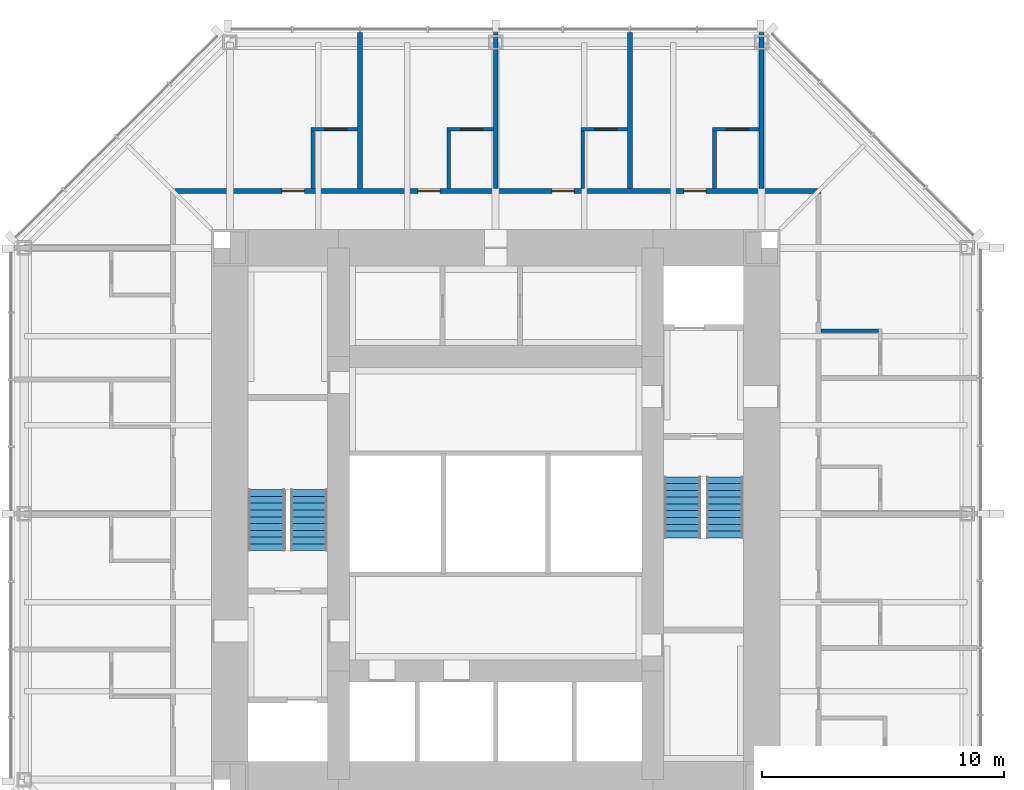
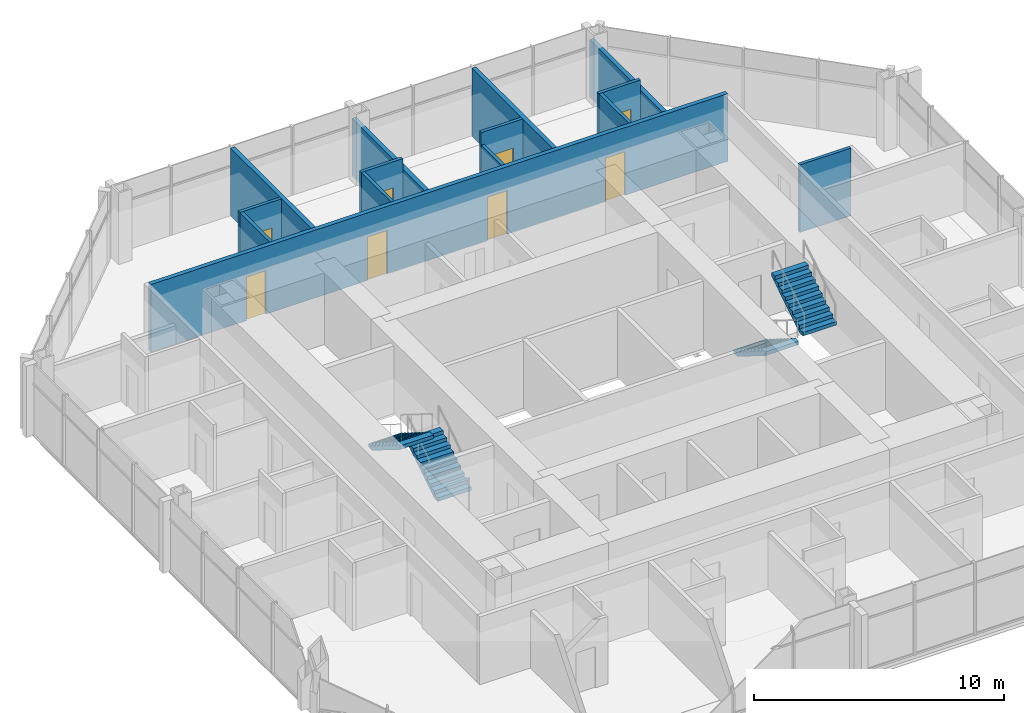
# One storey, part 10 of 12: 14 walls, 8 doors, 4 stair flights, 8 openings, 2 elements without a shape of their own.
"""IFC4 building model written with IfcOpenShell, lengths in metres."""

from ifc_helpers import new_model, si_unit, direction, frame, frame_2d, origin, place, context, subcontext, project, spatial, polyline, rectangle, outline, extrude, material, layer, layer_set, type_object, element, fill, aggregate, save


model = new_model("IFC4")

# Units and contexts
model_context = context("Model", 3, precision=1e-05, world=origin(), true_north=direction((0.0, 1.0)))
body_context = subcontext(model_context, "Body", "Model", "MODEL_VIEW")
ifc_project = project(units=[si_unit("LENGTHUNIT", "METRE"), si_unit("AREAUNIT", "SQUARE_METRE"), si_unit("VOLUMEUNIT", "CUBIC_METRE"), si_unit("PLANEANGLEUNIT", "RADIAN"), si_unit("MASSUNIT", "GRAM", prefix="KILO")], contexts=[model_context])

# Site, building, storey
site_placement = place(None, origin())
site = spatial("IfcSite", under=ifc_project, at=site_placement, CompositionType="ELEMENT")
building_placement = place(site_placement, origin())
building = spatial("IfcBuilding", under=site, at=building_placement, Name="Trevanion Tower", CompositionType="ELEMENT")
storey_placement = place(building_placement, frame((0.0, 0.0, 194.199951171875)))
storey = spatial("IfcBuildingStorey", under=building, at=storey_placement, Name="L45", CompositionType="ELEMENT", Elevation=194.199951171875)

# Wall
ifc_material_1 = material(Name="Gypsum board on steel studs", Category="steel")
ifc_layer_1 = layer(ifc_material_1, 0.14990234375)
ifc_layer_set_1 = layer_set([ifc_layer_1], Name="PT1 partition 150")
wall_type_1 = type_object("IfcWallType", Name="PT1 partition 150", PredefinedType="PARTITIONING", material=ifc_layer_set_1)
wall_1_placement = place(storey_placement, frame((13.449951171875, 7.56396484375, 0.0), z_axis=(0.0, 0.0, 1.0), x_axis=(1.0, 0.0, 0.0)))
element("IfcWall", 1, at=wall_1_placement, inside=storey, type_object=wall_type_1, Name="PT1 L45 BB03", PredefinedType="PARTITIONING", context=body_context, shape_type="SweptSolid", body=[
    extrude(rectangle(XDim=2.375, YDim=0.14990234375, at=frame_2d((1.1875, 0.0))), origin(), (0.0, 0.0, 1.0), 3.31005859375),
])

# Wall, opening, door
wall_2_placement = place(storey_placement, frame((10.89990234375, 15.89990234375, 0.0), z_axis=(0.0, 0.0, 1.0), x_axis=(-1.0, 0.0, 0.0)))
wall_2 = element("IfcWall", 2, at=wall_2_placement, inside=storey, type_object=wall_type_1, Name="PT1 L45 BA10", PredefinedType="PARTITIONING", context=body_context, shape_type="SweptSolid", body=[
    extrude(rectangle(XDim=1.9248046875, YDim=0.14990234375, at=frame_2d((0.96240234375, 0.0))), origin(), (0.0, 0.0, 1.0), 3.31005859375),
])
opening_1_placement = place(wall_2_placement, frame((0.4423828125, 0.0, 0.0)))
opening_1 = element("IfcOpeningElement", 3, at=opening_1_placement, cuts=wall_2, Name="Opening 45-024", PredefinedType="OPENING", context=body_context, shape_type="SweptSolid", body=[
    extrude(rectangle(XDim=0.9150390625, YDim=2.031982421875, at=frame_2d((0.45751953125, 1.01611328125))), frame((0.0, 0.0849609375, 0.0), z_axis=(0.0, -1.0, 0.0), x_axis=(1.0, 0.0, 0.0)), (0.0, 0.0, 1.0), 0.169921875),
])
ifc_material_2 = material(Name="Timber veneer", Category="wood")
door_type_1 = type_object("IfcDoorType", Name="D7 bathroom door", OperationType="SINGLE_SWING_LEFT", PredefinedType="DOOR", material=ifc_material_2)
door_1_placement = place(opening_1_placement, origin())
door_1 = element("IfcDoor", 4, at=door_1_placement, inside=storey, type_object=door_type_1, Name="Door 45-024", OperationType="SINGLE_SWING_LEFT", OverallHeight=2.031982421875, OverallWidth=0.9150390625, PredefinedType="DOOR", context=body_context, shape_type="SweptSolid", body=[
    extrude(rectangle(XDim=0.9150390625, YDim=2.031982421875, at=frame_2d((0.45751953125, 1.01611328125))), frame((0.0, 0.02490234375, 0.0), z_axis=(0.0, -1.0, 0.0), x_axis=(1.0, 0.0, 0.0)), (0.0, 0.0, 1.0), 0.050048828125),
])
fill(opening_1, door_1)

# Wall
wall_3_placement = place(storey_placement, frame((9.050048828125, 13.449951171875, 0.0), z_axis=(0.0, 0.0, 1.0), x_axis=(0.0, 1.0, 0.0)))
element("IfcWall", 5, at=wall_3_placement, inside=storey, type_object=wall_type_1, Name="PT1 L45 BB10", PredefinedType="PARTITIONING", context=body_context, shape_type="SweptSolid", body=[
    extrude(rectangle(XDim=2.375, YDim=0.14990234375, at=frame_2d((1.1875, 0.0))), origin(), (0.0, 0.0, 1.0), 3.31005859375),
])

# Wall, opening, door
wall_4_placement = place(storey_placement, frame((5.448974609375, 15.89990234375, 0.0), z_axis=(0.0, 0.0, 1.0), x_axis=(-1.0, 0.0, 0.0)))
wall_4 = element("IfcWall", 6, at=wall_4_placement, inside=storey, type_object=wall_type_1, Name="PT1 L45 BA11", PredefinedType="PARTITIONING", context=body_context, shape_type="SweptSolid", body=[
    extrude(rectangle(XDim=1.925048828125, YDim=0.14990234375, at=frame_2d((0.96240234375, 0.0))), origin(), (0.0, 0.0, 1.0), 3.31005859375),
])
opening_2_placement = place(wall_4_placement, frame((0.4423828125, 0.0, 0.0)))
opening_2 = element("IfcOpeningElement", 7, at=opening_2_placement, cuts=wall_4, Name="Opening 45-026", PredefinedType="OPENING", context=body_context, shape_type="SweptSolid", body=[
    extrude(rectangle(XDim=0.9150390625, YDim=2.031982421875, at=frame_2d((0.45751953125, 1.01611328125))), frame((0.0, 0.0849609375, 0.0), z_axis=(0.0, -1.0, 0.0), x_axis=(1.0, 0.0, 0.0)), (0.0, 0.0, 1.0), 0.169921875),
])
door_2_placement = place(opening_2_placement, origin())
door_2 = element("IfcDoor", 8, at=door_2_placement, inside=storey, type_object=door_type_1, Name="Door 45-026", OperationType="SINGLE_SWING_LEFT", OverallHeight=2.031982421875, OverallWidth=0.9150390625, PredefinedType="DOOR", context=body_context, shape_type="SweptSolid", body=[
    extrude(rectangle(XDim=0.9150390625, YDim=2.031982421875, at=frame_2d((0.45751953125, 1.01611328125))), frame((0.0, 0.02490234375, 0.0), z_axis=(0.0, -1.0, 0.0), x_axis=(1.0, 0.0, 0.0)), (0.0, 0.0, 1.0), 0.050048828125),
])
fill(opening_2, door_2)

# Wall
wall_5_placement = place(storey_placement, frame((3.59912109375, 13.449951171875, 0.0), z_axis=(0.0, 0.0, 1.0), x_axis=(0.0, 1.0, 0.0)))
element("IfcWall", 9, at=wall_5_placement, inside=storey, type_object=wall_type_1, Name="PT1 L45 BB11", PredefinedType="PARTITIONING", context=body_context, shape_type="SweptSolid", body=[
    extrude(rectangle(XDim=2.375, YDim=0.14990234375, at=frame_2d((1.1875, 0.0))), origin(), (0.0, 0.0, 1.0), 2.703125),
])

# Wall, opening, door
wall_6_placement = place(storey_placement, frame((-0.10009765625, 15.89990234375, 0.0), z_axis=(0.0, 0.0, 1.0), x_axis=(-1.0, 0.0, 0.0)))
wall_6 = element("IfcWall", 10, at=wall_6_placement, inside=storey, type_object=wall_type_1, Name="PT1 L45 BA12", PredefinedType="PARTITIONING", context=body_context, shape_type="SweptSolid", body=[
    extrude(rectangle(XDim=1.9248046875, YDim=0.14990234375, at=frame_2d((0.96240234375, 0.0))), origin(), (0.0, 0.0, 1.0), 3.31005859375),
])
opening_3_placement = place(wall_6_placement, frame((0.4423828125, 0.0, 0.0)))
opening_3 = element("IfcOpeningElement", 11, at=opening_3_placement, cuts=wall_6, Name="Opening 45-028", PredefinedType="OPENING", context=body_context, shape_type="SweptSolid", body=[
    extrude(rectangle(XDim=0.9150390625, YDim=2.031982421875, at=frame_2d((0.45751953125, 1.01611328125))), frame((0.0, 0.0849609375, 0.0), z_axis=(0.0, -1.0, 0.0), x_axis=(1.0, 0.0, 0.0)), (0.0, 0.0, 1.0), 0.169921875),
])
door_3_placement = place(opening_3_placement, origin())
door_3 = element("IfcDoor", 12, at=door_3_placement, inside=storey, type_object=door_type_1, Name="Door 45-028", OperationType="SINGLE_SWING_LEFT", OverallHeight=2.031982421875, OverallWidth=0.9150390625, PredefinedType="DOOR", context=body_context, shape_type="SweptSolid", body=[
    extrude(rectangle(XDim=0.9150390625, YDim=2.031982421875, at=frame_2d((0.45751953125, 1.01611328125))), frame((0.0, 0.02490234375, 0.0), z_axis=(0.0, -1.0, 0.0), x_axis=(1.0, 0.0, 0.0)), (0.0, 0.0, 1.0), 0.050048828125),
])
fill(opening_3, door_3)

# Wall
wall_7_placement = place(storey_placement, frame((-1.949951171875, 13.449951171875, 0.0), z_axis=(0.0, 0.0, 1.0), x_axis=(0.0, 1.0, 0.0)))
element("IfcWall", 13, at=wall_7_placement, inside=storey, type_object=wall_type_1, Name="PT1 L45 BB12", PredefinedType="PARTITIONING", context=body_context, shape_type="SweptSolid", body=[
    extrude(rectangle(XDim=2.375, YDim=0.14990234375, at=frame_2d((1.1875, 0.0))), origin(), (0.0, 0.0, 1.0), 3.31005859375),
])

# Wall, opening, door
wall_8_placement = place(storey_placement, frame((-5.714111328125, 15.89990234375, 0.0), z_axis=(0.0, 0.0, 1.0), x_axis=(-1.0, 0.0, 0.0)))
wall_8 = element("IfcWall", 14, at=wall_8_placement, inside=storey, type_object=wall_type_1, Name="PT1 L45 BA13", PredefinedType="PARTITIONING", context=body_context, shape_type="SweptSolid", body=[
    extrude(rectangle(XDim=1.9248046875, YDim=0.14990234375, at=frame_2d((0.96240234375, 0.0))), origin(), (0.0, 0.0, 1.0), 3.31005859375),
])
opening_4_placement = place(wall_8_placement, frame((0.4423828125, 0.0, 0.0)))
opening_4 = element("IfcOpeningElement", 15, at=opening_4_placement, cuts=wall_8, Name="Opening 45-030", PredefinedType="OPENING", context=body_context, shape_type="SweptSolid", body=[
    extrude(rectangle(XDim=0.9150390625, YDim=2.031982421875, at=frame_2d((0.45751953125, 1.01611328125))), frame((0.0, 0.0849609375, 0.0), z_axis=(0.0, -1.0, 0.0), x_axis=(1.0, 0.0, 0.0)), (0.0, 0.0, 1.0), 0.169921875),
])
door_4_placement = place(opening_4_placement, origin())
door_4 = element("IfcDoor", 16, at=door_4_placement, inside=storey, type_object=door_type_1, Name="Door 45-030", OperationType="SINGLE_SWING_LEFT", OverallHeight=2.031982421875, OverallWidth=0.9150390625, PredefinedType="DOOR", context=body_context, shape_type="SweptSolid", body=[
    extrude(rectangle(XDim=0.9150390625, YDim=2.031982421875, at=frame_2d((0.45751953125, 1.01611328125))), frame((0.0, 0.02490234375, 0.0), z_axis=(0.0, -1.0, 0.0), x_axis=(1.0, 0.0, 0.0)), (0.0, 0.0, 1.0), 0.050048828125),
])
fill(opening_4, door_4)

# Wall
wall_9_placement = place(storey_placement, frame((-7.56396484375, 13.449951171875, 0.0), z_axis=(0.0, 0.0, 1.0), x_axis=(0.0, 1.0, 0.0)))
element("IfcWall", 17, at=wall_9_placement, inside=storey, type_object=wall_type_1, Name="PT1 L45 BB13", PredefinedType="PARTITIONING", context=body_context, shape_type="SweptSolid", body=[
    extrude(rectangle(XDim=2.375, YDim=0.14990234375, at=frame_2d((1.1875, 0.0))), origin(), (0.0, 0.0, 1.0), 3.31005859375),
])

# Wall, openings, doors
ifc_material_3 = material(Name="Concrete masonry, grouted", Category="masonry")
ifc_layer_2 = layer(ifc_material_3, 0.199951171875)
ifc_layer_set_2 = layer_set([ifc_layer_2], Name="PT2 partition 200 1 HR")
wall_type_2 = type_object("IfcWallType", Name="PT2 partition 200 1 HR", PredefinedType="PARTITIONING", material=ifc_layer_set_2)
wall_10_placement = place(storey_placement, frame((13.449951171875, 13.35009765625, 0.0), z_axis=(0.0, 0.0, 1.0), x_axis=(-1.0, 0.0, 0.0)))
wall_10 = element("IfcWall", 18, at=wall_10_placement, inside=storey, type_object=wall_type_2, Name="PT2 L45 HC1", PredefinedType="PARTITIONING", context=body_context, shape_type="SweptSolid", body=[
    extrude(rectangle(XDim=26.699951171875, YDim=0.199951171875, at=frame_2d((13.35009765625, 0.0))), origin(), (0.0, 0.0, 1.0), 3.31005859375),
])
opening_5_placement = place(wall_10_placement, frame((4.75244140625, 0.0, 0.0)))
opening_5 = element("IfcOpeningElement", 19, at=opening_5_placement, cuts=wall_10, Name="Opening 45-025", PredefinedType="OPENING", context=body_context, shape_type="SweptSolid", body=[
    extrude(rectangle(XDim=0.9150390625, YDim=2.134033203125, at=frame_2d((0.45751953125, 1.06689453125))), frame((0.0, 0.10986328125, 0.0), z_axis=(0.0, -1.0, 0.0), x_axis=(1.0, 0.0, 0.0)), (0.0, 0.0, 1.0), 0.219970703125),
])
opening_6_placement = place(wall_10_placement, frame((10.20361328125, 0.0, 0.0)))
opening_6 = element("IfcOpeningElement", 20, at=opening_6_placement, cuts=wall_10, Name="Opening 45-027", PredefinedType="OPENING", context=body_context, shape_type="SweptSolid", body=[
    extrude(rectangle(XDim=0.9150390625, YDim=2.134033203125, at=frame_2d((0.45751953125, 1.06689453125))), frame((0.0, 0.10986328125, 0.0), z_axis=(0.0, -1.0, 0.0), x_axis=(1.0, 0.0, 0.0)), (0.0, 0.0, 1.0), 0.219970703125),
])
opening_7_placement = place(wall_10_placement, frame((15.75244140625, 0.0, 0.0)))
opening_7 = element("IfcOpeningElement", 21, at=opening_7_placement, cuts=wall_10, Name="Opening 45-029", PredefinedType="OPENING", context=body_context, shape_type="SweptSolid", body=[
    extrude(rectangle(XDim=0.9150390625, YDim=2.134033203125, at=frame_2d((0.45751953125, 1.06689453125))), frame((0.0, 0.10986328125, 0.0), z_axis=(0.0, -1.0, 0.0), x_axis=(1.0, 0.0, 0.0)), (0.0, 0.0, 1.0), 0.219970703125),
])
opening_8_placement = place(wall_10_placement, frame((21.366455078125, 0.0, 0.0)))
opening_8 = element("IfcOpeningElement", 22, at=opening_8_placement, cuts=wall_10, Name="Opening 45-031", PredefinedType="OPENING", context=body_context, shape_type="SweptSolid", body=[
    extrude(rectangle(XDim=0.9150390625, YDim=2.134033203125, at=frame_2d((0.45751953125, 1.06689453125))), frame((0.0, 0.10986328125, 0.0), z_axis=(0.0, -1.0, 0.0), x_axis=(1.0, 0.0, 0.0)), (0.0, 0.0, 1.0), 0.219970703125),
])
ifc_material_4 = material(Name="Timber veneer, fire rated", Category="wood")
door_type_2 = type_object("IfcDoorType", Name="D6 guest room entrance door", OperationType="SINGLE_SWING_LEFT", PredefinedType="DOOR", material=ifc_material_4)
door_5_placement = place(opening_5_placement, origin())
door_5 = element("IfcDoor", 23, at=door_5_placement, inside=storey, type_object=door_type_2, Name="Door 45-025", OperationType="SINGLE_SWING_LEFT", OverallHeight=2.134033203125, OverallWidth=0.9150390625, PredefinedType="DOOR", context=body_context, shape_type="SweptSolid", body=[
    extrude(rectangle(XDim=0.9150390625, YDim=2.134033203125, at=frame_2d((0.45751953125, 1.06689453125))), frame((0.0, 0.02490234375, 0.0), z_axis=(0.0, -1.0, 0.0), x_axis=(1.0, 0.0, 0.0)), (0.0, 0.0, 1.0), 0.050048828125),
])
fill(opening_5, door_5)
door_6_placement = place(opening_6_placement, origin())
door_6 = element("IfcDoor", 24, at=door_6_placement, inside=storey, type_object=door_type_2, Name="Door 45-027", OperationType="SINGLE_SWING_LEFT", OverallHeight=2.134033203125, OverallWidth=0.9150390625, PredefinedType="DOOR", context=body_context, shape_type="SweptSolid", body=[
    extrude(rectangle(XDim=0.9150390625, YDim=2.134033203125, at=frame_2d((0.45751953125, 1.06689453125))), frame((0.0, 0.02490234375, 0.0), z_axis=(0.0, -1.0, 0.0), x_axis=(1.0, 0.0, 0.0)), (0.0, 0.0, 1.0), 0.050048828125),
])
fill(opening_6, door_6)
door_7_placement = place(opening_7_placement, origin())
door_7 = element("IfcDoor", 25, at=door_7_placement, inside=storey, type_object=door_type_2, Name="Door 45-029", OperationType="SINGLE_SWING_LEFT", OverallHeight=2.134033203125, OverallWidth=0.9150390625, PredefinedType="DOOR", context=body_context, shape_type="SweptSolid", body=[
    extrude(rectangle(XDim=0.9150390625, YDim=2.134033203125, at=frame_2d((0.45751953125, 1.06689453125))), frame((0.0, 0.02490234375, 0.0), z_axis=(0.0, -1.0, 0.0), x_axis=(1.0, 0.0, 0.0)), (0.0, 0.0, 1.0), 0.050048828125),
])
fill(opening_7, door_7)
door_8_placement = place(opening_8_placement, origin())
door_8 = element("IfcDoor", 26, at=door_8_placement, inside=storey, type_object=door_type_2, Name="Door 45-031", OperationType="SINGLE_SWING_LEFT", OverallHeight=2.134033203125, OverallWidth=0.9150390625, PredefinedType="DOOR", context=body_context, shape_type="SweptSolid", body=[
    extrude(rectangle(XDim=0.9150390625, YDim=2.134033203125, at=frame_2d((0.45751953125, 1.06689453125))), frame((0.0, 0.02490234375, 0.0), z_axis=(0.0, -1.0, 0.0), x_axis=(1.0, 0.0, 0.0)), (0.0, 0.0, 1.0), 0.050048828125),
])
fill(opening_8, door_8)

# Walls
wall_11_placement = place(storey_placement, frame((11.0, 13.449951171875, 0.0), z_axis=(0.0, 0.0, 1.0), x_axis=(0.0, 1.0, 0.0)))
element("IfcWall", 27, at=wall_11_placement, inside=storey, type_object=wall_type_2, Name="PT2 L45 HD10", PredefinedType="PARTITIONING", context=body_context, shape_type="SweptSolid", body=[
    extrude(rectangle(XDim=6.465087890625, YDim=0.199951171875, at=frame_2d((3.232421875, 0.0))), origin(), (0.0, 0.0, 1.0), 2.802001953125),
])
wall_12_placement = place(storey_placement, frame((5.549072265625, 13.449951171875, 0.0), z_axis=(0.0, 0.0, 1.0), x_axis=(0.0, 1.0, 0.0)))
element("IfcWall", 28, at=wall_12_placement, inside=storey, type_object=wall_type_2, Name="PT2 L45 HD11", PredefinedType="PARTITIONING", context=body_context, shape_type="SweptSolid", body=[
    extrude(rectangle(XDim=6.465087890625, YDim=0.199951171875, at=frame_2d((3.232421875, 0.0))), origin(), (0.0, 0.0, 1.0), 3.31005859375),
])
wall_13_placement = place(storey_placement, frame((0.0, 13.449951171875, 0.0), z_axis=(0.0, 0.0, 1.0), x_axis=(0.0, 1.0, 0.0)))
element("IfcWall", 29, at=wall_13_placement, inside=storey, type_object=wall_type_2, Name="PT2 L45 HD12", PredefinedType="PARTITIONING", context=body_context, shape_type="SweptSolid", body=[
    extrude(rectangle(XDim=6.465087890625, YDim=0.199951171875, at=frame_2d((3.232421875, 0.0))), origin(), (0.0, 0.0, 1.0), 2.802001953125),
])
wall_14_placement = place(storey_placement, frame((-5.614013671875, 13.449951171875, 0.0), z_axis=(0.0, 0.0, 1.0), x_axis=(0.0, 1.0, 0.0)))
element("IfcWall", 30, at=wall_14_placement, inside=storey, type_object=wall_type_2, Name="PT2 L45 HD13", PredefinedType="PARTITIONING", context=body_context, shape_type="SweptSolid", body=[
    extrude(rectangle(XDim=6.465087890625, YDim=0.199951171875, at=frame_2d((3.232421875, 0.0))), origin(), (0.0, 0.0, 1.0), 3.31005859375),
])

# Stair, stair flights
ifc_material_5 = material(Name="Concrete 5,000 psi on steel stringers", Category="concrete")
stair_type = type_object("IfcStairType", Name="ST stair", PredefinedType="HALF_TURN_STAIR", material=ifc_material_5)
stair_1_placement = place(storey_placement, origin())
stair_1 = element("IfcStair", 31, at=stair_1_placement, inside=storey, type_object=stair_type, Name="ST1 L45", PredefinedType="HALF_TURN_STAIR")
ifc_material_6 = material(Name="Concrete 5,000 psi in steel pan", Category="concrete")
stair_flight_type = type_object("IfcStairFlightType", Name="STF stair flight", PredefinedType="STRAIGHT", material=ifc_material_6)
stair_flight_1_placement = place(storey_placement, frame((7.72509765625, 1.52490234375, 0.0), z_axis=(0.0, 0.0, 1.0), x_axis=(0.0, -1.0, 0.0)))
stair_flight_1 = element("IfcStairFlight", 32, at=stair_flight_1_placement, type_object=stair_flight_type, Name="ST1 flight 1", NumberOfRisers=10, NumberOfTreads=9, PredefinedType="STRAIGHT", RiserHeight=0.175, TreadLength=0.28, context=body_context, shape_type="SweptSolid", body=[
    extrude(outline(polyline([(0.0, 0.0), (0.0, 0.175048828125), (0.280029296875, 0.175048828125), (0.280029296875, 0.35009765625), (0.56005859375, 0.35009765625), (0.56005859375, 0.52490234375), (0.840087890625, 0.52490234375), (0.840087890625, 0.699951171875), (1.1201171875, 0.699951171875), (1.1201171875, 0.875), (1.39990234375, 0.875), (1.39990234375, 1.050048828125), (1.679931640625, 1.050048828125), (1.679931640625, 1.22509765625), (1.9599609375, 1.22509765625), (1.9599609375, 1.39990234375), (2.239990234375, 1.39990234375), (2.239990234375, 1.574951171875), (2.52001953125, 1.574951171875), (2.52001953125, 1.75), (2.52001953125, 1.398193359375), (0.28271484375, 0.0), (0.0, 0.0)])), frame((0.0, 0.77490234375, 0.0), z_axis=(0.0, -1.0, 0.0), x_axis=(1.0, 0.0, 0.0)), (0.0, 0.0, 1.0), 1.550048828125),
])
stair_flight_2_placement = place(storey_placement, frame((9.47509765625, -0.9951171875, 1.75), z_axis=(0.0, 0.0, 1.0), x_axis=(0.0, 1.0, 0.0)))
stair_flight_2 = element("IfcStairFlight", 33, at=stair_flight_2_placement, type_object=stair_flight_type, Name="ST1 flight 2", NumberOfRisers=10, NumberOfTreads=9, PredefinedType="STRAIGHT", RiserHeight=0.175, TreadLength=0.28, context=body_context, shape_type="SweptSolid", body=[
    extrude(outline(polyline([(0.0, 0.0), (0.0, 0.175048828125), (0.280029296875, 0.175048828125), (0.280029296875, 0.35009765625), (0.56005859375, 0.35009765625), (0.56005859375, 0.52490234375), (0.840087890625, 0.52490234375), (0.840087890625, 0.699951171875), (1.1201171875, 0.699951171875), (1.1201171875, 0.875), (1.39990234375, 0.875), (1.39990234375, 1.050048828125), (1.679931640625, 1.050048828125), (1.679931640625, 1.22509765625), (1.9599609375, 1.22509765625), (1.9599609375, 1.39990234375), (2.239990234375, 1.39990234375), (2.239990234375, 1.574951171875), (2.52001953125, 1.574951171875), (2.52001953125, 1.75), (2.52001953125, 1.398193359375), (0.28271484375, 0.0), (0.0, 0.0)])), frame((0.0, 0.77490234375, 0.0), z_axis=(0.0, -1.0, 0.0), x_axis=(1.0, 0.0, 0.0)), (0.0, 0.0, 1.0), 1.550048828125),
])
aggregate(stair_1, [stair_flight_1, stair_flight_2])

stair_2_placement = place(storey_placement, origin())
stair_2 = element("IfcStair", 34, at=stair_2_placement, inside=storey, type_object=stair_type, Name="ST2 L45", PredefinedType="HALF_TURN_STAIR")
stair_flight_3_placement = place(storey_placement, frame((-7.72509765625, -1.52490234375, 0.0), z_axis=(0.0, 0.0, 1.0), x_axis=(0.0, 1.0, 0.0)))
stair_flight_3 = element("IfcStairFlight", 35, at=stair_flight_3_placement, type_object=stair_flight_type, Name="ST2 flight 1", NumberOfRisers=10, NumberOfTreads=9, PredefinedType="STRAIGHT", RiserHeight=0.175, TreadLength=0.28, context=body_context, shape_type="SweptSolid", body=[
    extrude(outline(polyline([(0.0, 0.0), (0.0, 0.175048828125), (0.280029296875, 0.175048828125), (0.280029296875, 0.35009765625), (0.56005859375, 0.35009765625), (0.56005859375, 0.52490234375), (0.840087890625, 0.52490234375), (0.840087890625, 0.699951171875), (1.1201171875, 0.699951171875), (1.1201171875, 0.875), (1.39990234375, 0.875), (1.39990234375, 1.050048828125), (1.679931640625, 1.050048828125), (1.679931640625, 1.22509765625), (1.9599609375, 1.22509765625), (1.9599609375, 1.39990234375), (2.239990234375, 1.39990234375), (2.239990234375, 1.574951171875), (2.52001953125, 1.574951171875), (2.52001953125, 1.75), (2.52001953125, 1.398193359375), (0.28271484375, 0.0), (0.0, 0.0)])), frame((0.0, 0.77490234375, 0.0), z_axis=(0.0, -1.0, 0.0), x_axis=(1.0, 0.0, 0.0)), (0.0, 0.0, 1.0), 1.550048828125),
])
stair_flight_4_placement = place(storey_placement, frame((-9.47509765625, 0.9951171875, 1.75), z_axis=(0.0, 0.0, 1.0), x_axis=(0.0, -1.0, 0.0)))
stair_flight_4 = element("IfcStairFlight", 36, at=stair_flight_4_placement, type_object=stair_flight_type, Name="ST2 flight 2", NumberOfRisers=10, NumberOfTreads=9, PredefinedType="STRAIGHT", RiserHeight=0.175, TreadLength=0.28, context=body_context, shape_type="SweptSolid", body=[
    extrude(outline(polyline([(0.0, 0.0), (0.0, 0.175048828125), (0.280029296875, 0.175048828125), (0.280029296875, 0.35009765625), (0.56005859375, 0.35009765625), (0.56005859375, 0.52490234375), (0.840087890625, 0.52490234375), (0.840087890625, 0.699951171875), (1.1201171875, 0.699951171875), (1.1201171875, 0.875), (1.39990234375, 0.875), (1.39990234375, 1.050048828125), (1.679931640625, 1.050048828125), (1.679931640625, 1.22509765625), (1.9599609375, 1.22509765625), (1.9599609375, 1.39990234375), (2.239990234375, 1.39990234375), (2.239990234375, 1.574951171875), (2.52001953125, 1.574951171875), (2.52001953125, 1.75), (2.52001953125, 1.398193359375), (0.28271484375, 0.0), (0.0, 0.0)])), frame((0.0, 0.77490234375, 0.0), z_axis=(0.0, -1.0, 0.0), x_axis=(1.0, 0.0, 0.0)), (0.0, 0.0, 1.0), 1.550048828125),
])
aggregate(stair_2, [stair_flight_3, stair_flight_4])

save(model, "model.ifc")
